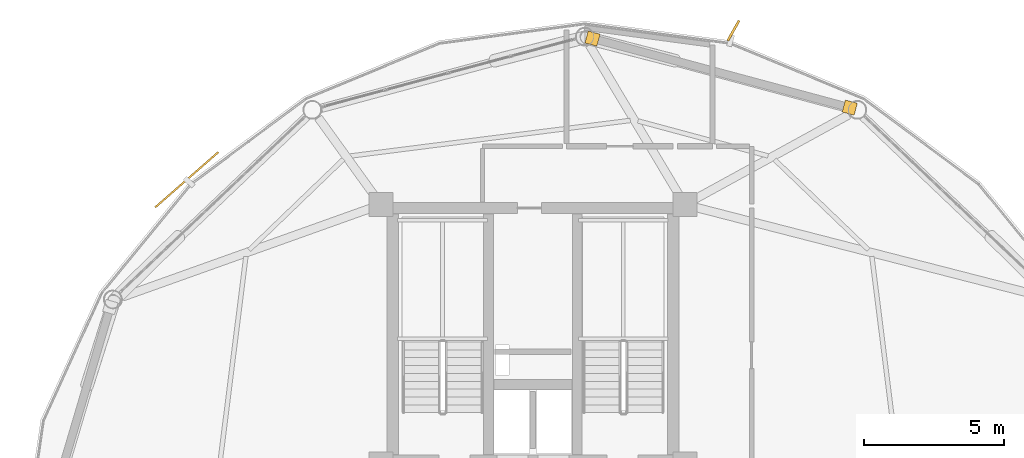
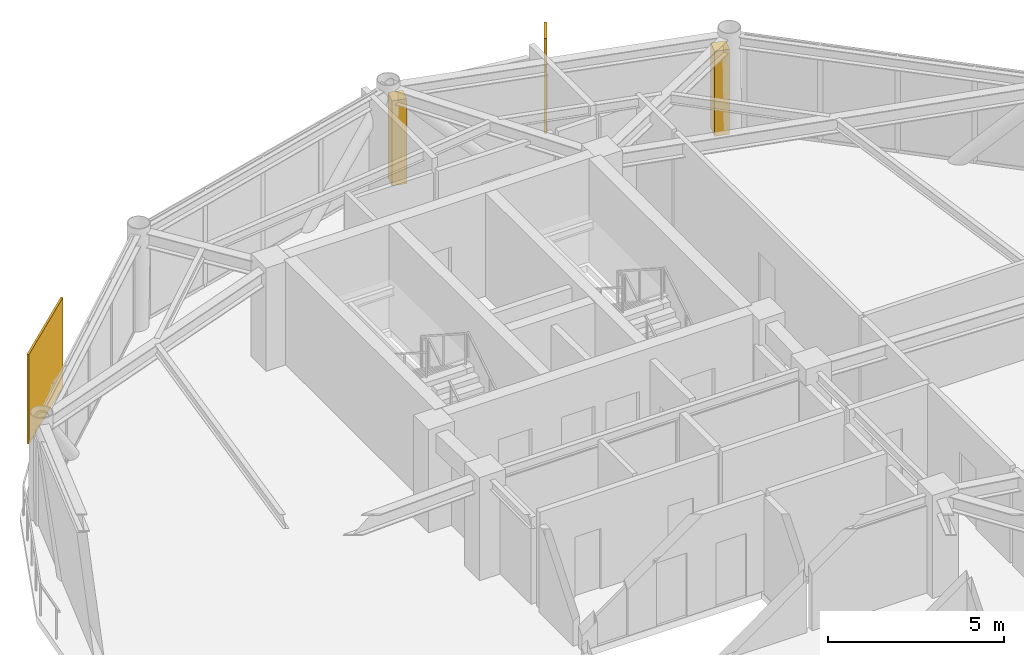
# One storey, part 29 of 29: 2 coverings, 2 shading devices.
"""IFC4 building model written with IfcOpenShell, lengths in metres."""

from ifc_helpers import new_model, si_unit, direction, frame, origin, origin_2d, place, context, subcontext, project, spatial, rectangle, extrude, source, transform, mapped, material, layer, layer_set, type_object, type_shapes, element, save


model = new_model("IFC4")

# Units and contexts
model_context = context("Model", 3, precision=1e-05, world=origin(), true_north=direction((0.0, 1.0)))
body_context = subcontext(model_context, "Body", "Model", "MODEL_VIEW")
ifc_project = project(units=[si_unit("LENGTHUNIT", "METRE"), si_unit("AREAUNIT", "SQUARE_METRE"), si_unit("VOLUMEUNIT", "CUBIC_METRE"), si_unit("PLANEANGLEUNIT", "RADIAN"), si_unit("MASSUNIT", "GRAM", prefix="KILO")], contexts=[model_context])

# Site, building, storey
site_placement = place(None, origin())
site = spatial("IfcSite", under=ifc_project, at=site_placement, CompositionType="ELEMENT")
building_placement = place(site_placement, origin())
building = spatial("IfcBuilding", under=site, at=building_placement, Name="Varnakorn Sky Granary", CompositionType="ELEMENT")
storey_placement = place(building_placement, frame((0.0, 0.0, 189.60009765625)))
storey = spatial("IfcBuildingStorey", under=building, at=storey_placement, Name="L47", CompositionType="ELEMENT", Elevation=189.60009765625)

# Shading devices
ifc_material = material(Name="Anodised Bronze Aluminium Alloy 6063-T6", Category="aluminium")
shading_device_type_1 = type_object("IfcShadingDeviceType", Name="SH-SCR-02", PredefinedType="USERDEFINED", material=ifc_material)
shared_shape_1 = source(origin(), body_context, "Body", "SweptSolid", [
    extrude(rectangle(XDim=3.0, YDim=0.06494140625, at=origin_2d()), origin(), (0.0, 0.0, 1.0), 3.10009765625),
])
type_shapes(shading_device_type_1, [shared_shape_1])
shading_device_1_placement = place(storey_placement, frame((-9.34521484375, 13.5048828125, -0.0400390625), z_axis=(0.0, 0.0, 1.0), x_axis=(-0.752678899379, -0.658387784235, 0.0)))
element("IfcShadingDevice", 1, at=shading_device_1_placement, inside=storey, type_object=shading_device_type_1, Name="Perforated Bronze Solar Screen Panel SCREEN L47-05", ObjectType="SCREEN", PredefinedType="USERDEFINED", context=body_context, shape_type="MappedRepresentation", body=[
    mapped(shared_shape_1, transform((0.0, 0.0, 0.0), x_axis=(1.0, 0.0, 0.0), y_axis=(0.0, 1.0, 0.0), z_axis=(0.0, 0.0, 1.0), scale=1.0)),
])
shading_device_type_2 = type_object("IfcShadingDeviceType", Name="SH-FIN-02", PredefinedType="USERDEFINED", material=ifc_material)
shared_shape_2 = source(origin(), body_context, "Body", "SweptSolid", [
    extrude(rectangle(XDim=0.0849609375, YDim=0.820068359375, at=origin_2d()), origin(), (0.0, 0.0, 1.0), 3.300048828125),
])
type_shapes(shading_device_type_2, [shared_shape_2])
shading_device_2_placement = place(storey_placement, frame((10.14990234375, 18.82421875, -0.0400390625), z_axis=(0.0, 0.0, 1.0), x_axis=(-0.871435869101, 0.490509455611, 0.0)))
element("IfcShadingDevice", 2, at=shading_device_2_placement, inside=storey, type_object=shading_device_type_2, Name="Bronze Solar-Tracking Vertical Blade FIN L47-03", ObjectType="FIN", PredefinedType="USERDEFINED", context=body_context, shape_type="MappedRepresentation", body=[
    mapped(shared_shape_2, transform((0.0, 0.0, 0.0), x_axis=(1.0, 0.0, 0.0), y_axis=(0.0, 1.0, 0.0), z_axis=(0.0, 0.0, 1.0), scale=1.0)),
])

# Coverings
ifc_layer = layer(ifc_material, 0.050048828125, Name="Anodised Bronze Aluminium Alloy 6063-T6")
ifc_layer_set = layer_set([ifc_layer], Name="Anodised Bronze Aluminium Alloy 6063-T6")
covering_type = type_object("IfcCoveringType", Name="CV-CLAD-50", PredefinedType="CLADDING", material=ifc_layer_set)
shared_shape_3 = source(origin(), body_context, "Body", "SweptSolid", [
    extrude(rectangle(XDim=0.43994140625, YDim=0.43994140625, at=origin_2d()), origin(), (0.0, 0.0, 1.0), 2.949951171875),
])
type_shapes(covering_type, [shared_shape_3])
for number, where, z_axis, x_axis, name in (
    (3, (5.125244140625, 18.541015625, -0.02001953125), (0.0, 0.0, 1.0), (0.965790176553, -0.259324767181, 0.0), "Bronze Corner Pilaster Closure L47-P03-A"),
    (4, (14.296875, 16.077880859375, -0.02001953125), (0.0, 0.0, 1.0), (0.965790176553, -0.259324767181, 0.0), "Bronze Corner Pilaster Closure L47-P03-B"),
):
    element("IfcCovering", number, at=place(storey_placement, frame(where, z_axis=z_axis, x_axis=x_axis)), inside=storey, type_object=covering_type, Name=name, PredefinedType="CLADDING", context=body_context, shape_type="MappedRepresentation", body=[
        mapped(shared_shape_3, transform((0.0, 0.0, 0.0), x_axis=(1.0, 0.0, 0.0), y_axis=(0.0, 1.0, 0.0), z_axis=(0.0, 0.0, 1.0), scale=1.0)),
    ])

save(model, "model.ifc")
